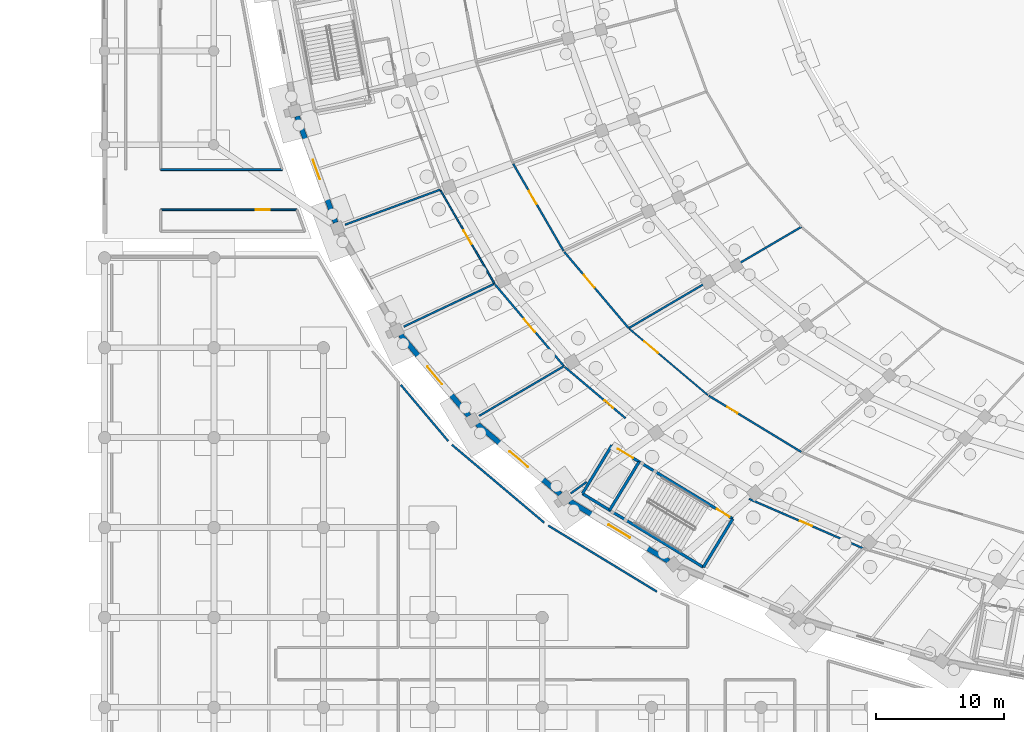
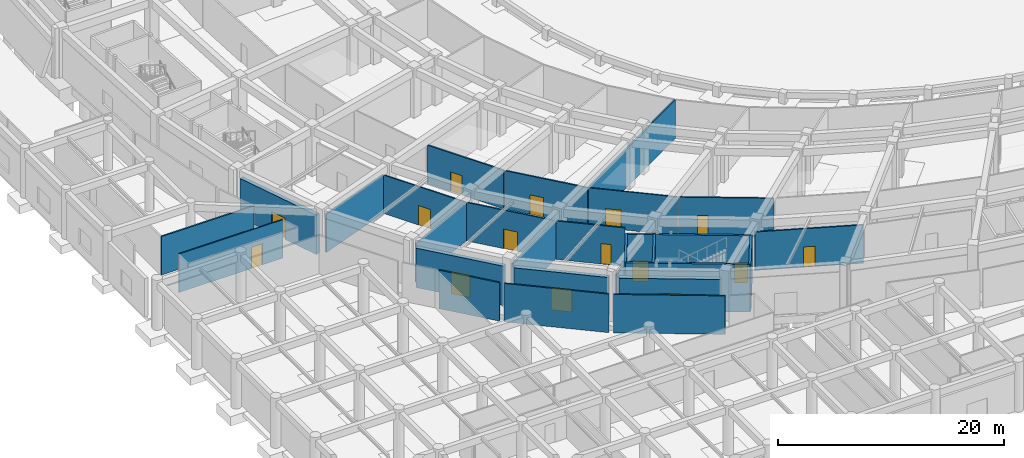
# One storey, part 41 of 88: 27 walls, 14 doors, 1 window, 15 openings.
"""IFC4 building model written with IfcOpenShell, lengths in metres."""

from ifc_helpers import new_model, si_unit, direction, frame, frame_2d, origin, place, context, subcontext, project, spatial, rectangle, extrude, material, layer, layer_set, type_object, element, fill, save


model = new_model("IFC4")

# Units and contexts
model_context = context("Model", 3, precision=1e-05, world=origin(), true_north=direction((0.0, 1.0)))
body_context = subcontext(model_context, "Body", "Model", "MODEL_VIEW")
ifc_project = project(units=[si_unit("LENGTHUNIT", "METRE"), si_unit("AREAUNIT", "SQUARE_METRE"), si_unit("VOLUMEUNIT", "CUBIC_METRE"), si_unit("PLANEANGLEUNIT", "RADIAN"), si_unit("MASSUNIT", "GRAM", prefix="KILO")], contexts=[model_context])

# Site, building, storey
site_placement = place(None, origin())
site = spatial("IfcSite", under=ifc_project, at=site_placement, CompositionType="ELEMENT")
building_placement = place(site_placement, origin())
building = spatial("IfcBuilding", under=site, at=building_placement, Name="Mphavela Belvedere Stadium", CompositionType="ELEMENT")
storey_placement = place(building_placement, origin())
storey = spatial("IfcBuildingStorey", under=building, at=storey_placement, Name="L00", CompositionType="ELEMENT", Elevation=0.0)

# Walls
ifc_material_1 = material(Name="Concrete C40/50", Category="concrete")
ifc_layer_1 = layer(ifc_material_1, 0.219970703125)
ifc_layer_set_1 = layer_set([ifc_layer_1], Name="Concrete C40/50")
wall_type_1 = type_object("IfcWallType", Name="WAL-CORE-SHEAR-220", PredefinedType="SHEAR", material=ifc_layer_set_1)
wall_1_placement = place(storey_placement, frame((46.62060546875, 24.908935546875, 0.0), z_axis=(0.0, 0.0, 1.0), x_axis=(-0.854373055797, 0.519660159651, 0.0)))
element("IfcWall", 1, at=wall_1_placement, inside=storey, type_object=wall_type_1, Name="Core C10 shear wall L00 rear", PredefinedType="SHEAR", context=body_context, shape_type="SweptSolid", body=[
    extrude(rectangle(XDim=11.019775390625, YDim=0.219970703125, at=frame_2d((5.509765625, 0.0))), origin(), (0.0, 0.0, 1.0), 5.14990234375),
])
wall_2_placement = place(storey_placement, frame((48.91259765625, 28.676513671875, 0.0), z_axis=(0.0, 0.0, 1.0), x_axis=(-0.519729151243, -0.854331088834, 0.0)))
element("IfcWall", 2, at=wall_2_placement, inside=storey, type_object=wall_type_1, Name="Core C10 shear wall L00 left", PredefinedType="SHEAR", context=body_context, shape_type="SweptSolid", body=[
    extrude(rectangle(XDim=4.409912109375, YDim=0.219970703125, at=frame_2d((2.205078125, 0.0))), origin(), (0.0, 0.0, 1.0), 5.14990234375),
])
wall_3_placement = place(storey_placement, frame((39.497314453125, 34.4033203125, 0.0), z_axis=(0.0, 0.0, 1.0), x_axis=(-0.519664162523, -0.854370621095, 0.0)))
element("IfcWall", 3, at=wall_3_placement, inside=storey, type_object=wall_type_1, Name="Core C10 shear wall L00 right", PredefinedType="SHEAR", context=body_context, shape_type="SweptSolid", body=[
    extrude(rectangle(XDim=4.41015625, YDim=0.219970703125, at=frame_2d((2.205078125, 0.0))), origin(), (0.0, 0.0, 1.0), 5.14990234375),
])

# Wall, openings, doors
wall_4_placement = place(storey_placement, frame((48.91259765625, 28.676513671875, 0.0), z_axis=(0.0, 0.0, 1.0), x_axis=(-0.854369202373, 0.51966649501, 0.0)))
wall_4 = element("IfcWall", 4, at=wall_4_placement, inside=storey, type_object=wall_type_1, Name="Core C10 shear wall L00 front", PredefinedType="SHEAR", context=body_context, shape_type="SweptSolid", body=[
    extrude(rectangle(XDim=11.020263671875, YDim=0.219970703125, at=frame_2d((5.51025390625, 0.0))), origin(), (0.0, 0.0, 1.0), 5.14990234375),
])
opening_1_placement = place(wall_4_placement, frame((0.300048828125, 0.0, 0.0)))
opening_1 = element("IfcOpeningElement", 5, at=opening_1_placement, cuts=wall_4, Name="Opening SD-051", PredefinedType="OPENING", context=body_context, shape_type="SweptSolid", body=[
    extrude(rectangle(XDim=1.14990234375, YDim=2.14990234375, at=frame_2d((0.574951171875, 1.074951171875))), frame((0.0, 0.1201171875, 0.0), z_axis=(0.0, -1.0, 0.0), x_axis=(1.0, 0.0, 0.0)), (0.0, 0.0, 1.0), 0.239990234375),
])
opening_2_placement = place(wall_4_placement, frame((9.080078125, 0.0, 0.0)))
opening_2 = element("IfcOpeningElement", 6, at=opening_2_placement, cuts=wall_4, Name="Opening LD-051", PredefinedType="OPENING", context=body_context, shape_type="SweptSolid", body=[
    extrude(rectangle(XDim=1.39990234375, YDim=2.25, at=frame_2d((0.699951171875, 1.125))), frame((0.0, 0.1201171875, 0.0), z_axis=(0.0, -1.0, 0.0), x_axis=(1.0, 0.0, 0.0)), (0.0, 0.0, 1.0), 0.239990234375),
])
ifc_material_2 = material(Name="Heavy-duty stainless steel goods lift landing door", Category="steel")
door_type_1 = type_object("IfcDoorType", Name="DR-LIFT-SLIDE-1400", OperationType="NOTDEFINED", PredefinedType="DOOR", material=ifc_material_2)
door_1_placement = place(opening_2_placement, origin())
door_1 = element("IfcDoor", 7, at=door_1_placement, inside=storey, type_object=door_type_1, Name="Lift landing sliding door GL02 L00", OperationType="DOUBLE_DOOR_SLIDING", OverallHeight=2.25, OverallWidth=1.39990234375, PredefinedType="DOOR", context=body_context, shape_type="SweptSolid", body=[
    extrude(rectangle(XDim=1.39990234375, YDim=2.25, at=frame_2d((0.699951171875, 1.125))), frame((0.0, 0.02490234375, 0.0), z_axis=(0.0, -1.0, 0.0), x_axis=(1.0, 0.0, 0.0)), (0.0, 0.0, 1.0), 0.050048828125),
])
fill(opening_2, door_1)
ifc_material_3 = material(Name="Steel acoustic fire-resisting stair doorset", Category="steel")
door_type_2 = type_object("IfcDoorType", Name="DR-STAIR-FIRE-1150", OperationType="NOTDEFINED", PredefinedType="DOOR", material=ifc_material_3)
door_2_placement = place(opening_1_placement, origin())
door_2 = element("IfcDoor", 8, at=door_2_placement, inside=storey, type_object=door_type_2, Name="Escape stair fire door C10 L00", OperationType="SINGLE_SWING_LEFT", OverallHeight=2.14990234375, OverallWidth=1.14990234375, PredefinedType="DOOR", context=body_context, shape_type="SweptSolid", body=[
    extrude(rectangle(XDim=1.14990234375, YDim=2.14990234375, at=frame_2d((0.574951171875, 1.074951171875))), frame((0.0, 0.02490234375, 0.0), z_axis=(0.0, -1.0, 0.0), x_axis=(1.0, 0.0, 0.0)), (0.0, 0.0, 1.0), 0.050048828125),
])
fill(opening_1, door_2)

# Wall
wall_5_placement = place(storey_placement, frame((41.6162109375, 33.114501953125, 0.0), z_axis=(0.0, 0.0, 1.0), x_axis=(-0.519664162523, -0.854370621095, 0.0)))
element("IfcWall", 9, at=wall_5_placement, inside=storey, type_object=wall_type_1, Name="Core C10 shear wall L00 div", PredefinedType="SHEAR", context=body_context, shape_type="SweptSolid", body=[
    extrude(rectangle(XDim=4.41015625, YDim=0.219970703125, at=frame_2d((2.205078125, 0.0))), origin(), (0.0, 0.0, 1.0), 5.14990234375),
])

# Wall, opening, door
ifc_material_4 = material(Name="Rusticated ashlar limestone masonry", Category="masonry")
ifc_layer_2 = layer(ifc_material_4, 0.39990234375)
ifc_layer_set_2 = layer_set([ifc_layer_2], Name="Rusticated ashlar limestone masonry")
wall_type_2 = type_object("IfcWallType", Name="WAL-EXT-ASHLAR-400", PredefinedType="STANDARD", material=ifc_layer_set_2)
wall_6_placement = place(storey_placement, frame((17.9912109375, 51.73876953125, 0.0), z_axis=(0.0, 0.0, 1.0), x_axis=(-0.341030587203, 0.940052199929, 0.0)))
wall_6 = element("IfcWall", 10, at=wall_6_placement, inside=storey, type_object=wall_type_2, Name="Ground plinth rusticated ashlar wall 27", PredefinedType="STANDARD", context=body_context, shape_type="SweptSolid", body=[
    extrude(rectangle(XDim=8.805419921875, YDim=0.39990234375, at=frame_2d((4.40283203125, 0.0))), origin(), (0.0, 0.0, 1.0), 4.25),
])
opening_3_placement = place(wall_6_placement, frame((3.602783203125, 0.0, 0.0)))
opening_3 = element("IfcOpeningElement", 11, at=opening_3_placement, cuts=wall_6, Name="Opening ED-007", PredefinedType="OPENING", context=body_context, shape_type="SweptSolid", body=[
    extrude(rectangle(XDim=1.60009765625, YDim=2.300048828125, at=frame_2d((0.800048828125, 1.14990234375))), frame((0.0, 0.2099609375, 0.0), z_axis=(0.0, -1.0, 0.0), x_axis=(1.0, 0.0, 0.0)), (0.0, 0.0, 1.0), 0.419921875),
])
ifc_material_5 = material(Name="Glazed bronze-anodised steel exit doorset", Category="steel")
door_type_3 = type_object("IfcDoorType", Name="DR-EXT-07", OperationType="NOTDEFINED", PredefinedType="DOOR", material=ifc_material_5)
door_3_placement = place(opening_3_placement, origin())
door_3 = element("IfcDoor", 12, at=door_3_placement, inside=storey, type_object=door_type_3, Name="Spectator final exit doorset ED-007", OperationType="DOUBLE_DOOR_SINGLE_SWING", OverallHeight=2.300048828125, OverallWidth=1.60009765625, PredefinedType="DOOR", context=body_context, shape_type="SweptSolid", body=[
    extrude(rectangle(XDim=1.60009765625, YDim=2.300048828125, at=frame_2d((0.800048828125, 1.14990234375))), frame((0.0, 0.02490234375, 0.0), z_axis=(0.0, -1.0, 0.0), x_axis=(1.0, 0.0, 0.0)), (0.0, 0.0, 1.0), 0.050048828125),
])
fill(opening_3, door_3)

wall_7_placement = place(storey_placement, frame((28.372802734375, 36.688720703125, 0.0), z_axis=(0.0, 0.0, 1.0), x_axis=(-0.645194244502, 0.764018577563, 0.0)))
wall_7 = element("IfcWall", 13, at=wall_7_placement, inside=storey, type_object=wall_type_2, Name="Ground plinth rusticated ashlar wall 29", PredefinedType="STANDARD", context=body_context, shape_type="SweptSolid", body=[
    extrude(rectangle(XDim=8.255615234375, YDim=0.39990234375, at=frame_2d((4.1279296875, 0.0))), origin(), (0.0, 0.0, 1.0), 4.25),
])
opening_4_placement = place(wall_7_placement, frame((3.227783203125, 0.0, 0.0)))
opening_4 = element("IfcOpeningElement", 14, at=opening_4_placement, cuts=wall_7, Name="Opening ED-009", PredefinedType="OPENING", context=body_context, shape_type="SweptSolid", body=[
    extrude(rectangle(XDim=1.800048828125, YDim=2.39990234375, at=frame_2d((0.89990234375, 1.199951171875))), frame((0.0, 0.2099609375, 0.0), z_axis=(0.0, -1.0, 0.0), x_axis=(1.0, 0.0, 0.0)), (0.0, 0.0, 1.0), 0.419921875),
])
ifc_material_6 = material(Name="Glazed bronze-anodised steel exit doorset", Category="steel")
door_type_4 = type_object("IfcDoorType", Name="DR-EXT-01", OperationType="NOTDEFINED", PredefinedType="DOOR", material=ifc_material_6)
door_4_placement = place(opening_4_placement, origin())
door_4 = element("IfcDoor", 15, at=door_4_placement, inside=storey, type_object=door_type_4, Name="Spectator final exit doorset ED-009", OperationType="DOUBLE_DOOR_SINGLE_SWING", OverallHeight=2.39990234375, OverallWidth=1.800048828125, PredefinedType="DOOR", context=body_context, shape_type="SweptSolid", body=[
    extrude(rectangle(XDim=1.800048828125, YDim=2.39990234375, at=frame_2d((0.89990234375, 1.199951171875))), frame((0.0, 0.02490234375, 0.0), z_axis=(0.0, -1.0, 0.0), x_axis=(1.0, 0.0, 0.0)), (0.0, 0.0, 1.0), 0.050048828125),
])
fill(opening_4, door_4)

wall_8_placement = place(storey_placement, frame((35.501953125, 30.574462890625, 0.0), z_axis=(0.0, 0.0, 1.0), x_axis=(-0.764254773348, 0.644914445035, 0.0)))
wall_8 = element("IfcWall", 16, at=wall_8_placement, inside=storey, type_object=wall_type_2, Name="Ground plinth rusticated ashlar wall 30", PredefinedType="STANDARD", context=body_context, shape_type="SweptSolid", body=[
    extrude(rectangle(XDim=8.502197265625, YDim=0.39990234375, at=frame_2d((4.2509765625, 0.0))), origin(), (0.0, 0.0, 1.0), 4.25),
])
opening_5_placement = place(wall_8_placement, frame((3.301025390625, 0.0, 0.0)))
opening_5 = element("IfcOpeningElement", 17, at=opening_5_placement, cuts=wall_8, Name="Opening ED-010", PredefinedType="OPENING", context=body_context, shape_type="SweptSolid", body=[
    extrude(rectangle(XDim=1.89990234375, YDim=2.39990234375, at=frame_2d((0.949951171875, 1.199951171875))), frame((0.0, 0.2099609375, 0.0), z_axis=(0.0, -1.0, 0.0), x_axis=(1.0, 0.0, 0.0)), (0.0, 0.0, 1.0), 0.419921875),
])
ifc_material_7 = material(Name="Glazed bronze-anodised steel exit doorset", Category="steel")
door_type_5 = type_object("IfcDoorType", Name="DR-EXT-02", OperationType="NOTDEFINED", PredefinedType="DOOR", material=ifc_material_7)
door_5_placement = place(opening_5_placement, origin())
door_5 = element("IfcDoor", 18, at=door_5_placement, inside=storey, type_object=door_type_5, Name="Spectator final exit doorset ED-010", OperationType="DOUBLE_DOOR_SINGLE_SWING", OverallHeight=2.39990234375, OverallWidth=1.89990234375, PredefinedType="DOOR", context=body_context, shape_type="SweptSolid", body=[
    extrude(rectangle(XDim=1.89990234375, YDim=2.39990234375, at=frame_2d((0.949951171875, 1.199951171875))), frame((0.0, 0.02490234375, 0.0), z_axis=(0.0, -1.0, 0.0), x_axis=(1.0, 0.0, 0.0)), (0.0, 0.0, 1.0), 0.050048828125),
])
fill(opening_5, door_5)

# Wall, opening, window
wall_9_placement = place(storey_placement, frame((43.921142578125, 25.371826171875, 0.0), z_axis=(0.0, 0.0, 1.0), x_axis=(-0.854319454423, 0.519748275413, 0.0)))
wall_9 = element("IfcWall", 19, at=wall_9_placement, inside=storey, type_object=wall_type_2, Name="Ground plinth rusticated ashlar wall 31", PredefinedType="STANDARD", context=body_context, shape_type="SweptSolid", body=[
    extrude(rectangle(XDim=9.006103515625, YDim=0.39990234375, at=frame_2d((4.5029296875, 0.0))), origin(), (0.0, 0.0, 1.0), 4.25),
])
opening_6_placement = place(wall_9_placement, frame((3.532958984375, 0.0, 1.10009765625)))
opening_6 = element("IfcOpeningElement", 20, at=opening_6_placement, cuts=wall_9, Name="Opening W-007", PredefinedType="OPENING", context=body_context, shape_type="SweptSolid", body=[
    extrude(rectangle(XDim=1.93994140625, YDim=1.550048828125, at=frame_2d((0.969970703125, 0.77490234375))), frame((0.0, 0.2099609375, 0.0), z_axis=(0.0, -1.0, 0.0), x_axis=(1.0, 0.0, 0.0)), (0.0, 0.0, 1.0), 0.419921875),
])
ifc_material_8 = material(Name="Bronze-anodised thermally broken aluminium window", Category="aluminium")
window_type = type_object("IfcWindowType", Name="WIN-EXT-07", PartitioningType="SINGLE_PANEL", PredefinedType="WINDOW", material=ifc_material_8)
window_placement = place(opening_6_placement, origin())
window = element("IfcWindow", 21, at=window_placement, inside=storey, type_object=window_type, Name="Plinth classical window W-007", OverallHeight=1.550048828125, OverallWidth=1.93994140625, PartitioningType="SINGLE_PANEL", PredefinedType="WINDOW", context=body_context, shape_type="SweptSolid", body=[
    extrude(rectangle(XDim=1.93994140625, YDim=1.550048828125, at=frame_2d((0.969970703125, 0.77490234375))), frame((0.0, 0.030029296875, 0.0), z_axis=(0.0, -1.0, 0.0), x_axis=(1.0, 0.0, 0.0)), (0.0, 0.0, 1.0), 0.06005859375),
])
fill(opening_6, window)

# Wall, opening, door
ifc_material_9 = material(Name="Moisture-resistant sanitary partition assembly")
ifc_layer_3 = layer(ifc_material_9, 0.125)
ifc_layer_set_3 = layer_set([ifc_layer_3], Name="Moisture-resistant sanitary partition assembly")
wall_type_3 = type_object("IfcWallType", Name="WAL-PART-125", PredefinedType="PARTITIONING", material=ifc_layer_set_3)
wall_10_placement = place(storey_placement, frame((26.1669921875, 54.230712890625, 0.0), z_axis=(0.0, 0.0, 1.0), x_axis=(0.500559280672, -0.865702262059, 0.0)))
wall_10 = element("IfcWall", 22, at=wall_10_placement, inside=storey, type_object=wall_type_3, Name="Room L00-105 corridor partition", PredefinedType="PARTITIONING", context=body_context, shape_type="SweptSolid", body=[
    extrude(rectangle(XDim=8.37451171875, YDim=0.125, at=frame_2d((4.187255859375, 0.0))), origin(), (0.0, 0.0, 1.0), 4.14990234375),
])
opening_7_placement = place(wall_10_placement, frame((3.577392578125, 0.0, 0.0)))
opening_7 = element("IfcOpeningElement", 23, at=opening_7_placement, cuts=wall_10, Name="Opening ID-045", PredefinedType="OPENING", context=body_context, shape_type="SweptSolid", body=[
    extrude(rectangle(XDim=1.219970703125, YDim=2.10009765625, at=frame_2d((0.60986328125, 1.050048828125))), frame((0.0, 0.072509765625, 0.0), z_axis=(0.0, -1.0, 0.0), x_axis=(1.0, 0.0, 0.0)), (0.0, 0.0, 1.0), 0.14501953125),
])
ifc_material_10 = material(Name="Hardwood acoustic timber doorset", Category="wood")
door_type_6 = type_object("IfcDoorType", Name="DR-INT-09", OperationType="NOTDEFINED", PredefinedType="DOOR", material=ifc_material_10)
door_6_placement = place(opening_7_placement, origin())
door_6 = element("IfcDoor", 24, at=door_6_placement, inside=storey, type_object=door_type_6, Name="Room L00-105 entrance door ID-045", OperationType="SINGLE_SWING_LEFT", OverallHeight=2.10009765625, OverallWidth=1.219970703125, PredefinedType="DOOR", context=body_context, shape_type="SweptSolid", body=[
    extrude(rectangle(XDim=1.219970703125, YDim=2.10009765625, at=frame_2d((0.60986328125, 1.050048828125))), frame((0.0, 0.02490234375, 0.0), z_axis=(0.0, -1.0, 0.0), x_axis=(1.0, 0.0, 0.0)), (0.0, 0.0, 1.0), 0.050048828125),
])
fill(opening_7, door_6)

wall_11_placement = place(storey_placement, frame((46.972900390625, 38.30810546875, 0.0), z_axis=(0.0, 0.0, 1.0), x_axis=(-0.764249122867, 0.644921141068, 0.0)))
wall_11 = element("IfcWall", 25, at=wall_11_placement, inside=storey, type_object=wall_type_3, Name="Room L00-110 corridor partition", PredefinedType="PARTITIONING", context=body_context, shape_type="SweptSolid", body=[
    extrude(rectangle(XDim=7.989501953125, YDim=0.125, at=frame_2d((3.99462890625, 0.0))), origin(), (0.0, 0.0, 1.0), 4.14990234375),
])
opening_8_placement = place(wall_11_placement, frame((5.07958984375, 0.0, 0.0)))
opening_8 = element("IfcOpeningElement", 26, at=opening_8_placement, cuts=wall_11, Name="Opening ID-048", PredefinedType="OPENING", context=body_context, shape_type="SweptSolid", body=[
    extrude(rectangle(XDim=1.39990234375, YDim=2.10009765625, at=frame_2d((0.699951171875, 1.050048828125))), frame((0.0, 0.072509765625, 0.0), z_axis=(0.0, -1.0, 0.0), x_axis=(1.0, 0.0, 0.0)), (0.0, 0.0, 1.0), 0.14501953125),
])
ifc_material_11 = material(Name="Hardwood acoustic timber doorset", Category="wood")
door_type_7 = type_object("IfcDoorType", Name="DR-INT-12", OperationType="NOTDEFINED", PredefinedType="DOOR", material=ifc_material_11)
door_7_placement = place(opening_8_placement, origin())
door_7 = element("IfcDoor", 27, at=door_7_placement, inside=storey, type_object=door_type_7, Name="Room L00-110 entrance door ID-048", OperationType="SINGLE_SWING_RIGHT", OverallHeight=2.10009765625, OverallWidth=1.39990234375, PredefinedType="DOOR", context=body_context, shape_type="SweptSolid", body=[
    extrude(rectangle(XDim=1.39990234375, YDim=2.10009765625, at=frame_2d((0.699951171875, 1.050048828125))), frame((0.0, 0.02490234375, 0.0), z_axis=(0.0, -1.0, 0.0), x_axis=(1.0, 0.0, 0.0)), (0.0, 0.0, 1.0), 0.050048828125),
])
fill(opening_8, door_7)

wall_12_placement = place(storey_placement, frame((4.360107421875, 52.739990234375, 0.0), z_axis=(0.0, 0.0, 1.0), x_axis=(1.0, 0.0, 0.0)))
wall_12 = element("IfcWall", 28, at=wall_12_placement, inside=storey, type_object=wall_type_3, Name="Room L00-198 corridor partition", PredefinedType="PARTITIONING", context=body_context, shape_type="SweptSolid", body=[
    extrude(rectangle(XDim=10.6083984375, YDim=0.125, at=frame_2d((5.30419921875, 0.0))), origin(), (0.0, 0.0, 1.0), 4.14990234375),
])
opening_9_placement = place(wall_12_placement, frame((7.414794921875, 0.0, 0.0)))
opening_9 = element("IfcOpeningElement", 29, at=opening_9_placement, cuts=wall_12, Name="Opening ID-498", PredefinedType="OPENING", context=body_context, shape_type="SweptSolid", body=[
    extrude(rectangle(XDim=1.10009765625, YDim=2.300048828125, at=frame_2d((0.550048828125, 1.14990234375))), frame((0.0, 0.072509765625, 0.0), z_axis=(0.0, -1.0, 0.0), x_axis=(1.0, 0.0, 0.0)), (0.0, 0.0, 1.0), 0.14501953125),
])
ifc_material_12 = material(Name="Hardwood acoustic timber doorset", Category="wood")
door_type_8 = type_object("IfcDoorType", Name="DR-INT-30", OperationType="NOTDEFINED", PredefinedType="DOOR", material=ifc_material_12)
door_8_placement = place(opening_9_placement, origin())
door_8 = element("IfcDoor", 30, at=door_8_placement, inside=storey, type_object=door_type_8, Name="Room L00-198 entrance door ID-498", OperationType="SINGLE_SWING_RIGHT", OverallHeight=2.300048828125, OverallWidth=1.10009765625, PredefinedType="DOOR", context=body_context, shape_type="SweptSolid", body=[
    extrude(rectangle(XDim=1.10009765625, YDim=2.300048828125, at=frame_2d((0.550048828125, 1.14990234375))), frame((0.0, 0.02490234375, 0.0), z_axis=(0.0, -1.0, 0.0), x_axis=(1.0, 0.0, 0.0)), (0.0, 0.0, 1.0), 0.050048828125),
])
fill(opening_9, door_8)

ifc_material_13 = material(Name="Acoustic gypsum stud partition assembly")
ifc_layer_4 = layer(ifc_material_13, 0.14990234375)
ifc_layer_set_4 = layer_set([ifc_layer_4], Name="Acoustic gypsum stud partition assembly")
wall_type_4 = type_object("IfcWallType", Name="WAL-PART-150", PredefinedType="PARTITIONING", material=ifc_layer_set_4)
wall_13_placement = place(storey_placement, frame((35.739990234375, 49.52783203125, 0.0), z_axis=(0.0, 0.0, 1.0), x_axis=(-0.500584301803, 0.865687794063, 0.0)))
wall_13 = element("IfcWall", 31, at=wall_13_placement, inside=storey, type_object=wall_type_4, Name="Room L00-104 corridor partition", PredefinedType="PARTITIONING", context=body_context, shape_type="SweptSolid", body=[
    extrude(rectangle(XDim=7.8369140625, YDim=0.14990234375, at=frame_2d((3.91845703125, 0.0))), origin(), (0.0, 0.0, 1.0), 4.14990234375),
])
opening_10_placement = place(wall_13_placement, frame((4.231201171875, 0.0, 0.0)))
opening_10 = element("IfcOpeningElement", 32, at=opening_10_placement, cuts=wall_13, Name="Opening ID-044", PredefinedType="OPENING", context=body_context, shape_type="SweptSolid", body=[
    extrude(rectangle(XDim=1.179931640625, YDim=2.10009765625, at=frame_2d((0.58984375, 1.050048828125))), frame((0.0, 0.0849609375, 0.0), z_axis=(0.0, -1.0, 0.0), x_axis=(1.0, 0.0, 0.0)), (0.0, 0.0, 1.0), 0.169921875),
])
ifc_material_14 = material(Name="Hardwood acoustic timber doorset", Category="wood")
door_type_9 = type_object("IfcDoorType", Name="DR-INT-08", OperationType="NOTDEFINED", PredefinedType="DOOR", material=ifc_material_14)
door_9_placement = place(opening_10_placement, origin())
door_9 = element("IfcDoor", 33, at=door_9_placement, inside=storey, type_object=door_type_9, Name="Room L00-104 entrance door ID-044", OperationType="SINGLE_SWING_RIGHT", OverallHeight=2.10009765625, OverallWidth=1.179931640625, PredefinedType="DOOR", context=body_context, shape_type="SweptSolid", body=[
    extrude(rectangle(XDim=1.179931640625, YDim=2.10009765625, at=frame_2d((0.58984375, 1.050048828125))), frame((0.0, 0.02490234375, 0.0), z_axis=(0.0, -1.0, 0.0), x_axis=(1.0, 0.0, 0.0)), (0.0, 0.0, 1.0), 0.050048828125),
])
fill(opening_10, door_9)

wall_14_placement = place(storey_placement, frame((40.806884765625, 43.518310546875, 0.0), z_axis=(0.0, 0.0, 1.0), x_axis=(-0.645180817826, 0.764029915847, 0.0)))
wall_14 = element("IfcWall", 34, at=wall_14_placement, inside=storey, type_object=wall_type_4, Name="Room L00-107 corridor partition", PredefinedType="PARTITIONING", context=body_context, shape_type="SweptSolid", body=[
    extrude(rectangle(XDim=7.779296875, YDim=0.14990234375, at=frame_2d((3.8896484375, 0.0))), origin(), (0.0, 0.0, 1.0), 4.14990234375),
])
opening_11_placement = place(wall_14_placement, frame((4.1416015625, 0.0, 0.0)))
opening_11 = element("IfcOpeningElement", 35, at=opening_11_placement, cuts=wall_14, Name="Opening ID-046", PredefinedType="OPENING", context=body_context, shape_type="SweptSolid", body=[
    extrude(rectangle(XDim=1.260009765625, YDim=2.10009765625, at=frame_2d((0.6298828125, 1.050048828125))), frame((0.0, 0.0849609375, 0.0), z_axis=(0.0, -1.0, 0.0), x_axis=(1.0, 0.0, 0.0)), (0.0, 0.0, 1.0), 0.169921875),
])
ifc_material_15 = material(Name="Hardwood acoustic timber doorset", Category="wood")
door_type_10 = type_object("IfcDoorType", Name="DR-INT-10", OperationType="NOTDEFINED", PredefinedType="DOOR", material=ifc_material_15)
door_10_placement = place(opening_11_placement, origin())
door_10 = element("IfcDoor", 36, at=door_10_placement, inside=storey, type_object=door_type_10, Name="Room L00-107 entrance door ID-046", OperationType="SINGLE_SWING_RIGHT", OverallHeight=2.10009765625, OverallWidth=1.260009765625, PredefinedType="DOOR", context=body_context, shape_type="SweptSolid", body=[
    extrude(rectangle(XDim=1.260009765625, YDim=2.10009765625, at=frame_2d((0.6298828125, 1.050048828125))), frame((0.0, 0.02490234375, 0.0), z_axis=(0.0, -1.0, 0.0), x_axis=(1.0, 0.0, 0.0)), (0.0, 0.0, 1.0), 0.050048828125),
])
fill(opening_11, door_10)

wall_15_placement = place(storey_placement, frame((30.40478515625, 46.9140625, 0.0), z_axis=(0.0, 0.0, 1.0), x_axis=(0.64516519871, -0.76404310505, 0.0)))
wall_15 = element("IfcWall", 37, at=wall_15_placement, inside=storey, type_object=wall_type_4, Name="Room L00-108 corridor partition", PredefinedType="PARTITIONING", context=body_context, shape_type="SweptSolid", body=[
    extrude(rectangle(XDim=8.3134765625, YDim=0.14990234375, at=frame_2d((4.15673828125, 0.0))), origin(), (0.0, 0.0, 1.0), 4.14990234375),
])
opening_12_placement = place(wall_15_placement, frame((3.49658203125, 0.0, 0.0)))
opening_12 = element("IfcOpeningElement", 38, at=opening_12_placement, cuts=wall_15, Name="Opening ID-047", PredefinedType="OPENING", context=body_context, shape_type="SweptSolid", body=[
    extrude(rectangle(XDim=1.320068359375, YDim=2.10009765625, at=frame_2d((0.66015625, 1.050048828125))), frame((0.0, 0.0849609375, 0.0), z_axis=(0.0, -1.0, 0.0), x_axis=(1.0, 0.0, 0.0)), (0.0, 0.0, 1.0), 0.169921875),
])
ifc_material_16 = material(Name="Hardwood acoustic timber doorset", Category="wood")
door_type_11 = type_object("IfcDoorType", Name="DR-INT-11", OperationType="NOTDEFINED", PredefinedType="DOOR", material=ifc_material_16)
door_11_placement = place(opening_12_placement, origin())
door_11 = element("IfcDoor", 39, at=door_11_placement, inside=storey, type_object=door_type_11, Name="Room L00-108 entrance door ID-047", OperationType="SINGLE_SWING_LEFT", OverallHeight=2.10009765625, OverallWidth=1.320068359375, PredefinedType="DOOR", context=body_context, shape_type="SweptSolid", body=[
    extrude(rectangle(XDim=1.320068359375, YDim=2.10009765625, at=frame_2d((0.66015625, 1.050048828125))), frame((0.0, 0.02490234375, 0.0), z_axis=(0.0, -1.0, 0.0), x_axis=(1.0, 0.0, 0.0)), (0.0, 0.0, 1.0), 0.050048828125),
])
fill(opening_12, door_11)

wall_16_placement = place(storey_placement, frame((35.8251953125, 40.5029296875, 0.0), z_axis=(0.0, 0.0, 1.0), x_axis=(0.764269616674, -0.644896854565, 0.0)))
wall_16 = element("IfcWall", 40, at=wall_16_placement, inside=storey, type_object=wall_type_4, Name="Room L00-111 corridor partition", PredefinedType="PARTITIONING", context=body_context, shape_type="SweptSolid", body=[
    extrude(rectangle(XDim=6.19091796875, YDim=0.14990234375, at=frame_2d((3.095458984375, 0.0))), origin(), (0.0, 0.0, 1.0), 4.14990234375),
])
opening_13_placement = place(wall_16_placement, frame((4.040771484375, 0.0, 0.0)))
opening_13 = element("IfcOpeningElement", 41, at=opening_13_placement, cuts=wall_16, Name="Opening ID-049", PredefinedType="OPENING", context=body_context, shape_type="SweptSolid", body=[
    extrude(rectangle(XDim=0.89990234375, YDim=2.199951171875, at=frame_2d((0.449951171875, 1.10009765625))), frame((0.0, 0.0849609375, 0.0), z_axis=(0.0, -1.0, 0.0), x_axis=(1.0, 0.0, 0.0)), (0.0, 0.0, 1.0), 0.169921875),
])
ifc_material_17 = material(Name="Hardwood acoustic timber doorset", Category="wood")
door_type_12 = type_object("IfcDoorType", Name="DR-INT-13", OperationType="NOTDEFINED", PredefinedType="DOOR", material=ifc_material_17)
door_12_placement = place(opening_13_placement, origin())
door_12 = element("IfcDoor", 42, at=door_12_placement, inside=storey, type_object=door_type_12, Name="Room L00-111 entrance door ID-049", OperationType="SINGLE_SWING_LEFT", OverallHeight=2.199951171875, OverallWidth=0.89990234375, PredefinedType="DOOR", context=body_context, shape_type="SweptSolid", body=[
    extrude(rectangle(XDim=0.89990234375, YDim=2.199951171875, at=frame_2d((0.449951171875, 1.10009765625))), frame((0.0, 0.02490234375, 0.0), z_axis=(0.0, -1.0, 0.0), x_axis=(1.0, 0.0, 0.0)), (0.0, 0.0, 1.0), 0.050048828125),
])
fill(opening_13, door_12)

wall_17_placement = place(storey_placement, frame((54.237060546875, 33.884033203125, 0.0), z_axis=(0.0, 0.0, 1.0), x_axis=(-0.854330104408, 0.519730769439, 0.0)))
wall_17 = element("IfcWall", 43, at=wall_17_placement, inside=storey, type_object=wall_type_4, Name="Room L00-113 corridor partition", PredefinedType="PARTITIONING", context=body_context, shape_type="SweptSolid", body=[
    extrude(rectangle(XDim=8.420166015625, YDim=0.14990234375, at=frame_2d((4.2099609375, 0.0))), origin(), (0.0, 0.0, 1.0), 4.14990234375),
])
opening_14_placement = place(wall_17_placement, frame((5.7919921875, 0.0, 0.0)))
opening_14 = element("IfcOpeningElement", 44, at=opening_14_placement, cuts=wall_17, Name="Opening ID-050", PredefinedType="OPENING", context=body_context, shape_type="SweptSolid", body=[
    extrude(rectangle(XDim=0.93994140625, YDim=2.199951171875, at=frame_2d((0.469970703125, 1.10009765625))), frame((0.0, 0.0849609375, 0.0), z_axis=(0.0, -1.0, 0.0), x_axis=(1.0, 0.0, 0.0)), (0.0, 0.0, 1.0), 0.169921875),
])
ifc_material_18 = material(Name="Hardwood acoustic timber doorset", Category="wood")
door_type_13 = type_object("IfcDoorType", Name="DR-INT-14", OperationType="NOTDEFINED", PredefinedType="DOOR", material=ifc_material_18)
door_13_placement = place(opening_14_placement, origin())
door_13 = element("IfcDoor", 45, at=door_13_placement, inside=storey, type_object=door_type_13, Name="Room L00-113 entrance door ID-050", OperationType="SINGLE_SWING_RIGHT", OverallHeight=2.199951171875, OverallWidth=0.93994140625, PredefinedType="DOOR", context=body_context, shape_type="SweptSolid", body=[
    extrude(rectangle(XDim=0.93994140625, YDim=2.199951171875, at=frame_2d((0.469970703125, 1.10009765625))), frame((0.0, 0.02490234375, 0.0), z_axis=(0.0, -1.0, 0.0), x_axis=(1.0, 0.0, 0.0)), (0.0, 0.0, 1.0), 0.050048828125),
])
fill(opening_14, door_13)

wall_18_placement = place(storey_placement, frame((50.18017578125, 30.227783203125, 0.0), z_axis=(0.0, 0.0, 1.0), x_axis=(0.917508957037, -0.39771511633, 0.0)))
wall_18 = element("IfcWall", 46, at=wall_18_placement, inside=storey, type_object=wall_type_4, Name="Room L00-116 corridor partition", PredefinedType="PARTITIONING", context=body_context, shape_type="SweptSolid", body=[
    extrude(rectangle(XDim=9.67138671875, YDim=0.14990234375, at=frame_2d((4.835693359375, 0.0))), origin(), (0.0, 0.0, 1.0), 4.14990234375),
])
opening_15_placement = place(wall_18_placement, frame((4.32568359375, 0.0, 0.0)))
opening_15 = element("IfcOpeningElement", 47, at=opening_15_placement, cuts=wall_18, Name="Opening ID-052", PredefinedType="OPENING", context=body_context, shape_type="SweptSolid", body=[
    extrude(rectangle(XDim=1.02001953125, YDim=2.199951171875, at=frame_2d((0.510009765625, 1.10009765625))), frame((0.0, 0.0849609375, 0.0), z_axis=(0.0, -1.0, 0.0), x_axis=(1.0, 0.0, 0.0)), (0.0, 0.0, 1.0), 0.169921875),
])
ifc_material_19 = material(Name="Hardwood acoustic timber doorset", Category="wood")
door_type_14 = type_object("IfcDoorType", Name="DR-INT-16", OperationType="NOTDEFINED", PredefinedType="DOOR", material=ifc_material_19)
door_14_placement = place(opening_15_placement, origin())
door_14 = element("IfcDoor", 48, at=door_14_placement, inside=storey, type_object=door_type_14, Name="Room L00-116 entrance door ID-052", OperationType="SINGLE_SWING_RIGHT", OverallHeight=2.199951171875, OverallWidth=1.02001953125, PredefinedType="DOOR", context=body_context, shape_type="SweptSolid", body=[
    extrude(rectangle(XDim=1.02001953125, YDim=2.199951171875, at=frame_2d((0.510009765625, 1.10009765625))), frame((0.0, 0.02490234375, 0.0), z_axis=(0.0, -1.0, 0.0), x_axis=(1.0, 0.0, 0.0)), (0.0, 0.0, 1.0), 0.050048828125),
])
fill(opening_15, door_14)

# Walls
wall_19_placement = place(storey_placement, frame((26.133544921875, 54.3037109375, 0.0), z_axis=(0.0, 0.0, 1.0), x_axis=(-0.938346807893, -0.345695340028, 0.0)))
element("IfcWall", 49, at=wall_19_placement, inside=storey, type_object=wall_type_4, Name="Room divider partition L00-0078", PredefinedType="PARTITIONING", context=body_context, shape_type="SweptSolid", body=[
    extrude(rectangle(XDim=7.90478515625, YDim=0.14990234375, at=frame_2d((3.952392578125, 0.0))), origin(), (0.0, 0.0, 1.0), 4.14990234375),
])
wall_20_placement = place(storey_placement, frame((30.35888671875, 46.98095703125, 0.0), z_axis=(0.0, 0.0, 1.0), x_axis=(-0.903854859666, -0.427839213559, 0.0)))
element("IfcWall", 50, at=wall_20_placement, inside=storey, type_object=wall_type_4, Name="Room divider partition L00-0081", PredefinedType="PARTITIONING", context=body_context, shape_type="SweptSolid", body=[
    extrude(rectangle(XDim=7.814208984375, YDim=0.14990234375, at=frame_2d((3.9072265625, 0.0))), origin(), (0.0, 0.0, 1.0), 4.14990234375),
])
wall_21_placement = place(storey_placement, frame((54.2578125, 51.40966796875, 0.0), z_axis=(0.0, 0.0, 1.0), x_axis=(-0.86252080612, -0.506021599351, 0.0)))
element("IfcWall", 51, at=wall_21_placement, inside=storey, type_object=wall_type_4, Name="Room divider partition L00-0083", PredefinedType="PARTITIONING", context=body_context, shape_type="SweptSolid", body=[
    extrude(rectangle(XDim=15.594970703125, YDim=0.14990234375, at=frame_2d((7.79736328125, 0.0))), origin(), (0.0, 0.0, 1.0), 4.14990234375),
])
wall_22_placement = place(storey_placement, frame((35.768310546875, 40.562255859375, 0.0), z_axis=(0.0, 0.0, 1.0), x_axis=(-0.862520085009, -0.506022828492, 0.0)))
element("IfcWall", 52, at=wall_22_placement, inside=storey, type_object=wall_type_4, Name="Room divider partition L00-0084", PredefinedType="PARTITIONING", context=body_context, shape_type="SweptSolid", body=[
    extrude(rectangle(XDim=7.66259765625, YDim=0.14990234375, at=frame_2d((3.831298828125, 0.0))), origin(), (0.0, 0.0, 1.0), 4.14990234375),
])
wall_23_placement = place(storey_placement, frame((37.538330078125, 31.54833984375, 0.0), z_axis=(0.0, 0.0, 1.0), x_axis=(-0.812848600764, -0.582475022844, 0.0)))
element("IfcWall", 53, at=wall_23_placement, inside=storey, type_object=wall_type_4, Name="Room divider partition L00-0087", PredefinedType="PARTITIONING", context=body_context, shape_type="SweptSolid", body=[
    extrude(rectangle(XDim=1.5302734375, YDim=0.14990234375, at=frame_2d((0.76513671875, 0.0))), origin(), (0.0, 0.0, 1.0), 4.14990234375),
])
wall_24_placement = place(storey_placement, frame((27.04931640625, 34.435791015625, 0.0), z_axis=(0.0, 0.0, 1.0), x_axis=(0.76426547638, -0.644901761212, 0.0)))
element("IfcWall", 54, at=wall_24_placement, inside=storey, type_object=wall_type_4, Name="Room divider partition L00-0651", PredefinedType="PARTITIONING", context=body_context, shape_type="SweptSolid", body=[
    extrude(rectangle(XDim=9.3984375, YDim=0.14990234375, at=frame_2d((4.69921875, 0.0))), origin(), (0.0, 0.0, 1.0), 4.14990234375),
])
wall_25_placement = place(storey_placement, frame((34.544921875, 28.149658203125, 0.0), z_axis=(0.0, 0.0, 1.0), x_axis=(0.854333268174, -0.519725568826, 0.0)))
element("IfcWall", 55, at=wall_25_placement, inside=storey, type_object=wall_type_4, Name="Room divider partition L00-0652", PredefinedType="PARTITIONING", context=body_context, shape_type="SweptSolid", body=[
    extrude(rectangle(XDim=9.90185546875, YDim=0.14990234375, at=frame_2d((4.950927734375, 0.0))), origin(), (0.0, 0.0, 1.0), 4.14990234375),
])
wall_26_placement = place(storey_placement, frame((23.070068359375, 39.093505859375, 0.0), z_axis=(0.0, 0.0, 1.0), x_axis=(0.645178597855, -0.764031790484, 0.0)))
element("IfcWall", 56, at=wall_26_placement, inside=storey, type_object=wall_type_4, Name="Room divider partition L00-0655", PredefinedType="PARTITIONING", context=body_context, shape_type="SweptSolid", body=[
    extrude(rectangle(XDim=5.706298828125, YDim=0.14990234375, at=frame_2d((2.85302734375, 0.0))), origin(), (0.0, 0.0, 1.0), 4.14990234375),
])
wall_27_placement = place(storey_placement, frame((13.836669921875, 55.860107421875, 0.0), z_axis=(0.0, 0.0, 1.0), x_axis=(-1.0, 0.0, 0.0)))
element("IfcWall", 57, at=wall_27_placement, inside=storey, type_object=wall_type_4, Name="Room divider partition L00-1139", PredefinedType="PARTITIONING", context=body_context, shape_type="SweptSolid", body=[
    extrude(rectangle(XDim=9.4765625, YDim=0.14990234375, at=frame_2d((4.73828125, 0.0))), origin(), (0.0, 0.0, 1.0), 4.14990234375),
])

save(model, "model.ifc")
